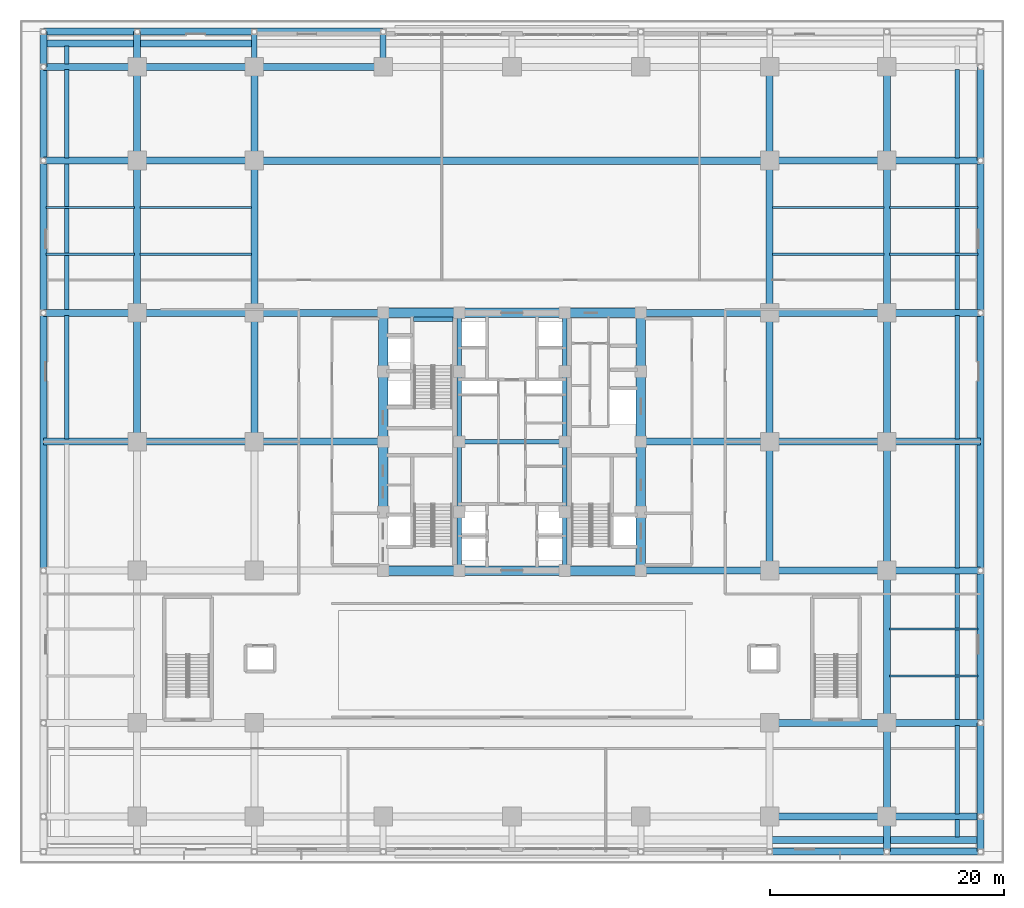
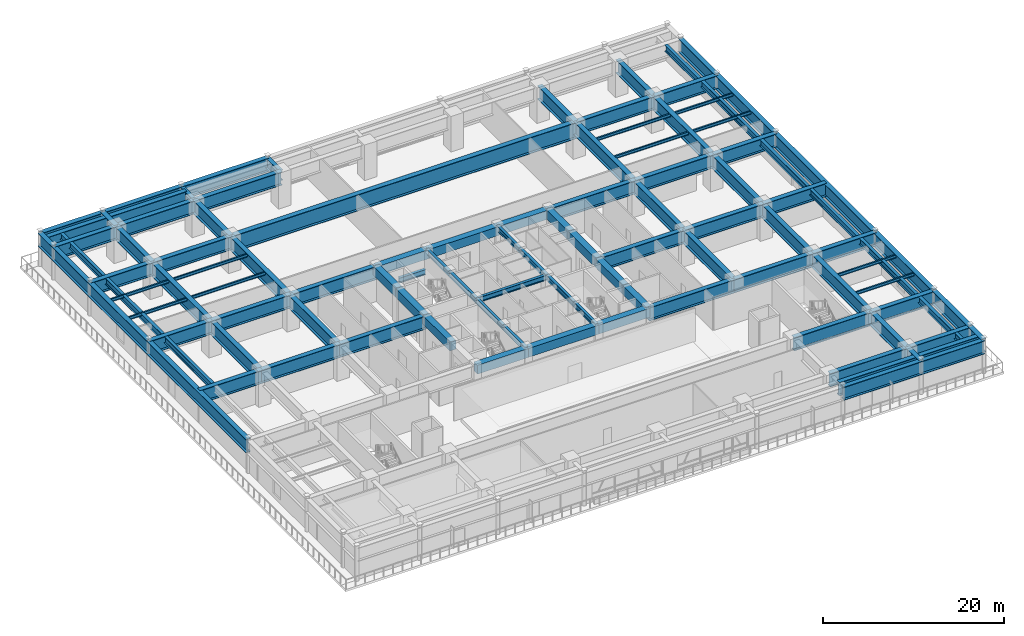
# One storey, part 17 of 38: 110 beams.
"""IFC4 building model written with IfcOpenShell, lengths in metres."""

from ifc_helpers import new_model, si_unit, direction, frame, origin, origin_2d, place, context, subcontext, project, spatial, rectangle, i_section, extrude, source, transform, mapped, material, material_profile, profile_set, type_object, element, save


model = new_model("IFC4")

# Units and contexts
model_context = context("Model", 3, precision=1e-05, world=origin(), true_north=direction((0.0, 1.0)))
body_context = subcontext(model_context, "Body", "Model", "MODEL_VIEW")
ifc_project = project(units=[si_unit("LENGTHUNIT", "METRE"), si_unit("AREAUNIT", "SQUARE_METRE"), si_unit("VOLUMEUNIT", "CUBIC_METRE"), si_unit("PLANEANGLEUNIT", "RADIAN"), si_unit("MASSUNIT", "GRAM", prefix="KILO")], contexts=[model_context])

# Site, building, storey
site_placement = place(None, origin())
site = spatial("IfcSite", under=ifc_project, at=site_placement, CompositionType="ELEMENT")
building_placement = place(site_placement, origin())
building = spatial("IfcBuilding", under=site, at=building_placement, Name="Khorayat Bourse Tower", CompositionType="ELEMENT")
storey_placement = place(building_placement, frame((0.0, 0.0, 17.39990234375)))
storey = spatial("IfcBuildingStorey", under=building, at=storey_placement, Name="L03", CompositionType="ELEMENT", Elevation=17.39990234375)

# Beams
ifc_material_1 = material(Name="Concrete C72/90", Category="concrete")
ifc_material_profile_1 = material_profile(ifc_material_1, rectangle(XDim=0.800048828125, YDim=1.199951171875, at=origin_2d()), Name="RC 800x1200")
ifc_profile_set_1 = profile_set([ifc_material_profile_1], Name="Concrete C72/90")
beam_type_1 = type_object("IfcBeamType", Name="BM-COUP-1200", PredefinedType="BEAM", material=ifc_profile_set_1)
shared_shape_1 = source(origin(), body_context, "Body", "SweptSolid", [
    extrude(rectangle(XDim=0.800048828125, YDim=1.199951171875, at=origin_2d()), origin(), (0.0, 0.0, 1.0), 5.0),
])
for number, where, z_axis, x_axis, name in (
    (1, (-11.0, 6.0, 3.880126953125), (0.0, 1.0, 0.0), (-1.0, 0.0, 0.0), "L03 BM-COUP-1200 BM-L03-CRX-04"),
    (2, (11.0, -11.0, 3.880126953125), (0.0, 1.0, 0.0), (-1.0, 0.0, 0.0), "L03 BM-COUP-1200 BM-L03-CRX-13"),
    (3, (11.0, 6.0, 3.880126953125), (0.0, 1.0, 0.0), (-1.0, 0.0, 0.0), "L03 BM-COUP-1200 BM-L03-CRX-16"),
):
    element("IfcBeam", number, at=place(storey_placement, frame(where, z_axis=z_axis, x_axis=x_axis)), inside=storey, type_object=beam_type_1, Name=name, PredefinedType="BEAM", context=body_context, shape_type="MappedRepresentation", body=[
        mapped(shared_shape_1, transform((0.0, 0.0, 0.0), scale=1.0)),
    ])
shared_shape_2 = source(origin(), body_context, "Body", "SweptSolid", [
    extrude(rectangle(XDim=0.800048828125, YDim=1.199951171875, at=origin_2d()), origin(), (0.0, 0.0, 1.0), 6.0),
])
for number, where, z_axis, x_axis, name in (
    (4, (-11.0, -6.0, 3.880126953125), (0.0, 1.0, 0.0), (-1.0, 0.0, 0.0), "L03 BM-COUP-1200 BM-L03-CRX-02"),
    (5, (-11.0, 0.0, 3.880126953125), (0.0, 1.0, 0.0), (-1.0, 0.0, 0.0), "L03 BM-COUP-1200 BM-L03-CRX-03"),
    (6, (11.0, -6.0, 3.880126953125), (0.0, 1.0, 0.0), (-1.0, 0.0, 0.0), "L03 BM-COUP-1200 BM-L03-CRX-14"),
    (7, (11.0, 0.0, 3.880126953125), (0.0, 1.0, 0.0), (-1.0, 0.0, 0.0), "L03 BM-COUP-1200 BM-L03-CRX-15"),
):
    element("IfcBeam", number, at=place(storey_placement, frame(where, z_axis=z_axis, x_axis=x_axis)), inside=storey, type_object=beam_type_1, Name=name, PredefinedType="BEAM", context=body_context, shape_type="MappedRepresentation", body=[
        mapped(shared_shape_2, transform((0.0, 0.0, 0.0), scale=1.0)),
    ])
ifc_material_2 = material(Name="Steel ASTM A992 Grade 50", Category="steel")
ifc_material_profile_2 = material_profile(ifc_material_2, i_section(OverallWidth=0.35498046875, OverallDepth=0.695068359375, WebThickness=0.015380859375, FlangeThickness=0.02490234375, FilletRadius=0.01806640625, at=origin_2d()), Name="W690X217")
ifc_profile_set_2 = profile_set([ifc_material_profile_2], Name="Steel ASTM A992 Grade 50")
beam_type_2 = type_object("IfcBeamType", Name="BM-GIRD-690", PredefinedType="BEAM", material=ifc_profile_set_2)
shared_shape_3 = source(origin(), body_context, "Body", "SweptSolid", [
    extrude(i_section(OverallWidth=0.35498046875, OverallDepth=0.695068359375, WebThickness=0.015380859375, FlangeThickness=0.02490234375, FilletRadius=0.01806640625, at=origin_2d()), origin(), (0.0, 0.0, 1.0), 5.0),
])
for number, where, z_axis, x_axis, name in (
    (8, (-4.5, -11.0, 4.132568359375), (0.0, 1.0, 0.0), (-1.0, 0.0, 0.0), "L03 BM-GIRD-690 BM-L03-CRX-05"),
    (9, (-4.5, 6.0, 4.132568359375), (0.0, 1.0, 0.0), (-1.0, 0.0, 0.0), "L03 BM-GIRD-690 BM-L03-CRX-08"),
    (10, (4.5, -11.0, 4.132568359375), (0.0, 1.0, 0.0), (-1.0, 0.0, 0.0), "L03 BM-GIRD-690 BM-L03-CRX-09"),
    (11, (4.5, 6.0, 4.132568359375), (0.0, 1.0, 0.0), (-1.0, 0.0, 0.0), "L03 BM-GIRD-690 BM-L03-CRX-12"),
):
    element("IfcBeam", number, at=place(storey_placement, frame(where, z_axis=z_axis, x_axis=x_axis)), inside=storey, type_object=beam_type_2, Name=name, PredefinedType="BEAM", context=body_context, shape_type="MappedRepresentation", body=[
        mapped(shared_shape_3, transform((0.0, 0.0, 0.0), scale=1.0)),
    ])
shared_shape_4 = source(origin(), body_context, "Body", "SweptSolid", [
    extrude(i_section(OverallWidth=0.35498046875, OverallDepth=0.695068359375, WebThickness=0.015380859375, FlangeThickness=0.02490234375, FilletRadius=0.01806640625, at=origin_2d()), origin(), (0.0, 0.0, 1.0), 6.0),
])
for number, where, z_axis, x_axis, name in (
    (12, (-4.5, -6.0, 4.132568359375), (0.0, 1.0, 0.0), (-1.0, 0.0, 0.0), "L03 BM-GIRD-690 BM-L03-CRX-06"),
    (13, (-4.5, 0.0, 4.132568359375), (0.0, 1.0, 0.0), (-1.0, 0.0, 0.0), "L03 BM-GIRD-690 BM-L03-CRX-07"),
    (14, (4.5, -6.0, 4.132568359375), (0.0, 1.0, 0.0), (-1.0, 0.0, 0.0), "L03 BM-GIRD-690 BM-L03-CRX-10"),
    (15, (4.5, 0.0, 4.132568359375), (0.0, 1.0, 0.0), (-1.0, 0.0, 0.0), "L03 BM-GIRD-690 BM-L03-CRX-11"),
):
    element("IfcBeam", number, at=place(storey_placement, frame(where, z_axis=z_axis, x_axis=x_axis)), inside=storey, type_object=beam_type_2, Name=name, PredefinedType="BEAM", context=body_context, shape_type="MappedRepresentation", body=[
        mapped(shared_shape_4, transform((0.0, 0.0, 0.0), scale=1.0)),
    ])
shared_shape_5 = source(origin(), body_context, "Body", "SweptSolid", [
    extrude(rectangle(XDim=0.800048828125, YDim=1.199951171875, at=origin_2d()), origin(), (0.0, 0.0, 1.0), 6.5),
])
for number, where, z_axis, x_axis, name in (
    (16, (-11.0, -11.0, 3.880126953125), (1.0, 0.0, 0.0), (0.0, 1.0, 0.0), "L03 BM-COUP-1200 BM-L03-CRY-17"),
    (17, (4.5, -11.0, 3.880126953125), (1.0, 0.0, 0.0), (0.0, 1.0, 0.0), "L03 BM-COUP-1200 BM-L03-CRY-19"),
    (18, (-11.0, 11.0, 3.880126953125), (1.0, 0.0, 0.0), (0.0, 1.0, 0.0), "L03 BM-COUP-1200 BM-L03-CRY-20"),
    (19, (4.5, 11.0, 3.880126953125), (1.0, 0.0, 0.0), (0.0, 1.0, 0.0), "L03 BM-COUP-1200 BM-L03-CRY-22"),
):
    element("IfcBeam", number, at=place(storey_placement, frame(where, z_axis=z_axis, x_axis=x_axis)), inside=storey, type_object=beam_type_1, Name=name, PredefinedType="BEAM", context=body_context, shape_type="MappedRepresentation", body=[
        mapped(shared_shape_5, transform((0.0, 0.0, 0.0), scale=1.0)),
    ])
shared_shape_6 = source(origin(), body_context, "Body", "SweptSolid", [
    extrude(rectangle(XDim=0.800048828125, YDim=1.199951171875, at=origin_2d()), origin(), (0.0, 0.0, 1.0), 9.0),
])
for number, where, z_axis, x_axis, name in (
    (20, (-4.5, -11.0, 3.880126953125), (1.0, 0.0, 0.0), (0.0, 1.0, 0.0), "L03 BM-COUP-1200 BM-L03-CRY-18"),
    (21, (-4.5, 11.0, 3.880126953125), (1.0, 0.0, 0.0), (0.0, 1.0, 0.0), "L03 BM-COUP-1200 BM-L03-CRY-21"),
):
    element("IfcBeam", number, at=place(storey_placement, frame(where, z_axis=z_axis, x_axis=x_axis)), inside=storey, type_object=beam_type_1, Name=name, PredefinedType="BEAM", context=body_context, shape_type="MappedRepresentation", body=[
        mapped(shared_shape_6, transform((0.0, 0.0, 0.0), scale=1.0)),
    ])
shared_shape_7 = source(origin(), body_context, "Body", "SweptSolid", [
    extrude(i_section(OverallWidth=0.35498046875, OverallDepth=0.695068359375, WebThickness=0.015380859375, FlangeThickness=0.02490234375, FilletRadius=0.01806640625, at=origin_2d()), origin(), (0.0, 0.0, 1.0), 3.39990234375),
])
beam_1_placement = place(storey_placement, frame((-8.419921875, 10.449951171875, 1.8525390625), z_axis=(1.0, 0.0, 0.0), x_axis=(0.0, 1.0, 0.0)))
element("IfcBeam", 22, at=beam_1_placement, inside=storey, type_object=beam_type_2, Name="L03 BM-GIRD-690 BM-L03-ST2L", PredefinedType="BEAM", context=body_context, shape_type="MappedRepresentation", body=[
    mapped(shared_shape_7, transform((0.0, 0.0, 0.0), scale=1.0)),
])
shared_shape_8 = source(origin(), body_context, "Body", "SweptSolid", [
    extrude(i_section(OverallWidth=0.35498046875, OverallDepth=0.695068359375, WebThickness=0.015380859375, FlangeThickness=0.02490234375, FilletRadius=0.01806640625, at=origin_2d()), origin(), (0.0, 0.0, 1.0), 9.0),
])
beam_2_placement = place(storey_placement, frame((-4.5, 0.0, 4.132568359375), z_axis=(1.0, 0.0, 0.0), x_axis=(0.0, 1.0, 0.0)))
element("IfcBeam", 23, at=beam_2_placement, inside=storey, type_object=beam_type_2, Name="L03 BM-GIRD-690 BM-L03-CRY-23", PredefinedType="BEAM", context=body_context, shape_type="MappedRepresentation", body=[
    mapped(shared_shape_8, transform((0.0, 0.0, 0.0), scale=1.0)),
])
ifc_material_3 = material(Name="Steel EN 10025-4 S460M", Category="steel")
ifc_material_profile_3 = material_profile(ifc_material_3, i_section(OverallWidth=0.60009765625, OverallDepth=1.800048828125, WebThickness=0.031982421875, FlangeThickness=0.06005859375, at=origin_2d()), Name="PG 1800x600x32x60")
ifc_profile_set_3 = profile_set([ifc_material_profile_3], Name="Steel EN 10025-4 S460M")
beam_type_3 = type_object("IfcBeamType", Name="BM-TR-1800", PredefinedType="BEAM", material=ifc_profile_set_3)
shared_shape_9 = source(origin(), body_context, "Body", "SweptSolid", [
    extrude(i_section(OverallWidth=0.60009765625, OverallDepth=1.800048828125, WebThickness=0.031982421875, FlangeThickness=0.06005859375, at=origin_2d()), origin(), (0.0, 0.0, 1.0), 10.0),
])
for number, where, z_axis, x_axis, name in (
    (24, (22.0, -35.0, 3.580078125), (1.0, 0.0, 0.0), (0.0, 1.0, 0.0), "L03 BM-TR-1800 BM-L03-PGX-029"),
    (25, (22.0, -34.0, 3.580078125), (1.0, 0.0, 0.0), (0.0, 1.0, 0.0), "L03 BM-TR-1800 BM-L03-PGX-034"),
    (26, (22.0, -32.0, 3.580078125), (1.0, 0.0, 0.0), (0.0, 1.0, 0.0), "L03 BM-TR-1800 BM-L03-PGX-042"),
    (27, (22.0, -24.0, 3.580078125), (1.0, 0.0, 0.0), (0.0, 1.0, 0.0), "L03 BM-TR-1800 BM-L03-PGX-047"),
    (28, (22.0, -11.0, 3.580078125), (1.0, 0.0, 0.0), (0.0, 1.0, 0.0), "L03 BM-TR-1800 BM-L03-PGX-056"),
    (29, (-32.0, 0.0, 3.580078125), (1.0, 0.0, 0.0), (0.0, 1.0, 0.0), "L03 BM-TR-1800 BM-L03-PGX-059"),
    (30, (22.0, 0.0, 3.580078125), (1.0, 0.0, 0.0), (0.0, 1.0, 0.0), "L03 BM-TR-1800 BM-L03-PGX-062"),
    (31, (-32.0, 11.0, 3.580078125), (1.0, 0.0, 0.0), (0.0, 1.0, 0.0), "L03 BM-TR-1800 BM-L03-PGX-065"),
    (32, (22.0, 11.0, 3.580078125), (1.0, 0.0, 0.0), (0.0, 1.0, 0.0), "L03 BM-TR-1800 BM-L03-PGX-071"),
    (33, (-32.0, 24.0, 3.580078125), (1.0, 0.0, 0.0), (0.0, 1.0, 0.0), "L03 BM-TR-1800 BM-L03-PGX-074"),
    (34, (22.0, 24.0, 3.580078125), (1.0, 0.0, 0.0), (0.0, 1.0, 0.0), "L03 BM-TR-1800 BM-L03-PGX-076"),
    (35, (-32.0, 32.0, 3.580078125), (1.0, 0.0, 0.0), (0.0, 1.0, 0.0), "L03 BM-TR-1800 BM-L03-PGX-079"),
    (36, (-32.0, 34.0, 3.580078125), (1.0, 0.0, 0.0), (0.0, 1.0, 0.0), "L03 BM-TR-1800 BM-L03-PGX-087"),
    (37, (-32.0, 35.0, 3.580078125), (1.0, 0.0, 0.0), (0.0, 1.0, 0.0), "L03 BM-TR-1800 BM-L03-PGX-092"),
):
    element("IfcBeam", number, at=place(storey_placement, frame(where, z_axis=z_axis, x_axis=x_axis)), inside=storey, type_object=beam_type_3, Name=name, PredefinedType="BEAM", context=body_context, shape_type="MappedRepresentation", body=[
        mapped(shared_shape_9, transform((0.0, 0.0, 0.0), scale=1.0)),
    ])
shared_shape_10 = source(origin(), body_context, "Body", "SweptSolid", [
    extrude(i_section(OverallWidth=0.60009765625, OverallDepth=1.800048828125, WebThickness=0.031982421875, FlangeThickness=0.06005859375, at=origin_2d()), origin(), (0.0, 0.0, 1.0), 11.0),
])
for number, where, z_axis, x_axis, name in (
    (38, (11.0, -11.0, 3.580078125), (1.0, 0.0, 0.0), (0.0, 1.0, 0.0), "L03 BM-TR-1800 BM-L03-PGX-055"),
    (39, (-22.0, 0.0, 3.580078125), (1.0, 0.0, 0.0), (0.0, 1.0, 0.0), "L03 BM-TR-1800 BM-L03-PGX-060"),
    (40, (11.0, 0.0, 3.580078125), (1.0, 0.0, 0.0), (0.0, 1.0, 0.0), "L03 BM-TR-1800 BM-L03-PGX-061"),
    (41, (-22.0, 11.0, 3.580078125), (1.0, 0.0, 0.0), (0.0, 1.0, 0.0), "L03 BM-TR-1800 BM-L03-PGX-066"),
    (42, (11.0, 11.0, 3.580078125), (1.0, 0.0, 0.0), (0.0, 1.0, 0.0), "L03 BM-TR-1800 BM-L03-PGX-070"),
    (43, (-22.0, 32.0, 3.580078125), (1.0, 0.0, 0.0), (0.0, 1.0, 0.0), "L03 BM-TR-1800 BM-L03-PGX-080"),
    (44, (-22.0, 35.0, 3.580078125), (1.0, 0.0, 0.0), (0.0, 1.0, 0.0), "L03 BM-TR-1800 BM-L03-PGX-093"),
    (45, (-32.0, 0.0, 3.580078125), (0.0, 1.0, 0.0), (-1.0, 0.0, 0.0), "L03 BM-TR-1800 BM-L03-PGY-117"),
    (46, (-22.0, 0.0, 3.580078125), (0.0, 1.0, 0.0), (-1.0, 0.0, 0.0), "L03 BM-TR-1800 BM-L03-PGY-124"),
    (47, (22.0, -11.0, 3.580078125), (0.0, 1.0, 0.0), (-1.0, 0.0, 0.0), "L03 BM-TR-1800 BM-L03-PGY-139"),
    (48, (22.0, 0.0, 3.580078125), (0.0, 1.0, 0.0), (-1.0, 0.0, 0.0), "L03 BM-TR-1800 BM-L03-PGY-140"),
    (49, (32.0, -11.0, 3.580078125), (0.0, 1.0, 0.0), (-1.0, 0.0, 0.0), "L03 BM-TR-1800 BM-L03-PGY-147"),
    (50, (32.0, 0.0, 3.580078125), (0.0, 1.0, 0.0), (-1.0, 0.0, 0.0), "L03 BM-TR-1800 BM-L03-PGY-148"),
):
    element("IfcBeam", number, at=place(storey_placement, frame(where, z_axis=z_axis, x_axis=x_axis)), inside=storey, type_object=beam_type_3, Name=name, PredefinedType="BEAM", context=body_context, shape_type="MappedRepresentation", body=[
        mapped(shared_shape_10, transform((0.0, 0.0, 0.0), scale=1.0)),
    ])
shared_shape_11 = source(origin(), body_context, "Body", "SweptSolid", [
    extrude(i_section(OverallWidth=0.60009765625, OverallDepth=1.800048828125, WebThickness=0.031982421875, FlangeThickness=0.06005859375, at=origin_2d()), origin(), (0.0, 0.0, 1.0), 8.0),
])
for number, where, z_axis, x_axis, name in (
    (51, (32.0, -35.0, 3.580078125), (1.0, 0.0, 0.0), (0.0, 1.0, 0.0), "L03 BM-TR-1800 BM-L03-PGX-030"),
    (52, (32.0, -34.0, 3.580078125), (1.0, 0.0, 0.0), (0.0, 1.0, 0.0), "L03 BM-TR-1800 BM-L03-PGX-035"),
    (53, (32.0, -32.0, 3.580078125), (1.0, 0.0, 0.0), (0.0, 1.0, 0.0), "L03 BM-TR-1800 BM-L03-PGX-043"),
    (54, (32.0, -24.0, 3.580078125), (1.0, 0.0, 0.0), (0.0, 1.0, 0.0), "L03 BM-TR-1800 BM-L03-PGX-048"),
    (55, (32.0, -11.0, 3.580078125), (1.0, 0.0, 0.0), (0.0, 1.0, 0.0), "L03 BM-TR-1800 BM-L03-PGX-057"),
    (56, (-40.0, 0.0, 3.580078125), (1.0, 0.0, 0.0), (0.0, 1.0, 0.0), "L03 BM-TR-1800 BM-L03-PGX-058"),
    (57, (32.0, 0.0, 3.580078125), (1.0, 0.0, 0.0), (0.0, 1.0, 0.0), "L03 BM-TR-1800 BM-L03-PGX-063"),
    (58, (-40.0, 11.0, 3.580078125), (1.0, 0.0, 0.0), (0.0, 1.0, 0.0), "L03 BM-TR-1800 BM-L03-PGX-064"),
    (59, (32.0, 11.0, 3.580078125), (1.0, 0.0, 0.0), (0.0, 1.0, 0.0), "L03 BM-TR-1800 BM-L03-PGX-072"),
    (60, (-40.0, 24.0, 3.580078125), (1.0, 0.0, 0.0), (0.0, 1.0, 0.0), "L03 BM-TR-1800 BM-L03-PGX-073"),
    (61, (32.0, 24.0, 3.580078125), (1.0, 0.0, 0.0), (0.0, 1.0, 0.0), "L03 BM-TR-1800 BM-L03-PGX-077"),
    (62, (-40.0, 32.0, 3.580078125), (1.0, 0.0, 0.0), (0.0, 1.0, 0.0), "L03 BM-TR-1800 BM-L03-PGX-078"),
    (63, (-40.0, 34.0, 3.580078125), (1.0, 0.0, 0.0), (0.0, 1.0, 0.0), "L03 BM-TR-1800 BM-L03-PGX-086"),
    (64, (-40.0, 35.0, 3.580078125), (1.0, 0.0, 0.0), (0.0, 1.0, 0.0), "L03 BM-TR-1800 BM-L03-PGX-091"),
    (65, (-40.0, 24.0, 3.580078125), (0.0, 1.0, 0.0), (-1.0, 0.0, 0.0), "L03 BM-TR-1800 BM-L03-PGY-103"),
    (66, (-32.0, 24.0, 3.580078125), (0.0, 1.0, 0.0), (-1.0, 0.0, 0.0), "L03 BM-TR-1800 BM-L03-PGY-119"),
    (67, (-22.0, 24.0, 3.580078125), (0.0, 1.0, 0.0), (-1.0, 0.0, 0.0), "L03 BM-TR-1800 BM-L03-PGY-126"),
    (68, (22.0, 24.0, 3.580078125), (0.0, 1.0, 0.0), (-1.0, 0.0, 0.0), "L03 BM-TR-1800 BM-L03-PGY-142"),
    (69, (32.0, -32.0, 3.580078125), (0.0, 1.0, 0.0), (-1.0, 0.0, 0.0), "L03 BM-TR-1800 BM-L03-PGY-145"),
    (70, (32.0, 24.0, 3.580078125), (0.0, 1.0, 0.0), (-1.0, 0.0, 0.0), "L03 BM-TR-1800 BM-L03-PGY-150"),
    (71, (40.0, -32.0, 3.580078125), (0.0, 1.0, 0.0), (-1.0, 0.0, 0.0), "L03 BM-TR-1800 BM-L03-PGY-161"),
    (72, (40.0, 24.0, 3.580078125), (0.0, 1.0, 0.0), (-1.0, 0.0, 0.0), "L03 BM-TR-1800 BM-L03-PGY-165"),
):
    element("IfcBeam", number, at=place(storey_placement, frame(where, z_axis=z_axis, x_axis=x_axis)), inside=storey, type_object=beam_type_3, Name=name, PredefinedType="BEAM", context=body_context, shape_type="MappedRepresentation", body=[
        mapped(shared_shape_11, transform((0.0, 0.0, 0.0), scale=1.0)),
    ])
shared_shape_12 = source(origin(), body_context, "Body", "SweptSolid", [
    extrude(i_section(OverallWidth=0.60009765625, OverallDepth=1.800048828125, WebThickness=0.031982421875, FlangeThickness=0.06005859375, at=origin_2d()), origin(), (0.0, 0.0, 1.0), 13.0),
])
for number, where, z_axis, x_axis, name in (
    (73, (-40.0, 11.0, 3.580078125), (0.0, 1.0, 0.0), (-1.0, 0.0, 0.0), "L03 BM-TR-1800 BM-L03-PGY-102"),
    (74, (-32.0, 11.0, 3.580078125), (0.0, 1.0, 0.0), (-1.0, 0.0, 0.0), "L03 BM-TR-1800 BM-L03-PGY-118"),
    (75, (-22.0, 11.0, 3.580078125), (0.0, 1.0, 0.0), (-1.0, 0.0, 0.0), "L03 BM-TR-1800 BM-L03-PGY-125"),
    (76, (22.0, 11.0, 3.580078125), (0.0, 1.0, 0.0), (-1.0, 0.0, 0.0), "L03 BM-TR-1800 BM-L03-PGY-141"),
    (77, (32.0, -24.0, 3.580078125), (0.0, 1.0, 0.0), (-1.0, 0.0, 0.0), "L03 BM-TR-1800 BM-L03-PGY-146"),
    (78, (32.0, 11.0, 3.580078125), (0.0, 1.0, 0.0), (-1.0, 0.0, 0.0), "L03 BM-TR-1800 BM-L03-PGY-149"),
    (79, (40.0, -24.0, 3.580078125), (0.0, 1.0, 0.0), (-1.0, 0.0, 0.0), "L03 BM-TR-1800 BM-L03-PGY-162"),
    (80, (40.0, 11.0, 3.580078125), (0.0, 1.0, 0.0), (-1.0, 0.0, 0.0), "L03 BM-TR-1800 BM-L03-PGY-164"),
):
    element("IfcBeam", number, at=place(storey_placement, frame(where, z_axis=z_axis, x_axis=x_axis)), inside=storey, type_object=beam_type_3, Name=name, PredefinedType="BEAM", context=body_context, shape_type="MappedRepresentation", body=[
        mapped(shared_shape_12, transform((0.0, 0.0, 0.0), scale=1.0)),
    ])
ifc_material_profile_4 = material_profile(ifc_material_3, i_section(OverallWidth=0.64990234375, OverallDepth=2.199951171875, WebThickness=0.035888671875, FlangeThickness=0.06494140625, at=origin_2d()), Name="PG 2200x650x36x65")
ifc_profile_set_4 = profile_set([ifc_material_profile_4], Name="Steel EN 10025-4 S460M")
beam_type_4 = type_object("IfcBeamType", Name="BM-TR-2200", PredefinedType="BEAM", material=ifc_profile_set_4)
shared_shape_13 = source(origin(), body_context, "Body", "SweptSolid", [
    extrude(i_section(OverallWidth=0.64990234375, OverallDepth=2.199951171875, WebThickness=0.035888671875, FlangeThickness=0.06494140625, at=origin_2d()), origin(), (0.0, 0.0, 1.0), 44.0),
])
beam_3_placement = place(storey_placement, frame((-22.0, 24.0, 3.380126953125), z_axis=(1.0, 0.0, 0.0), x_axis=(0.0, 1.0, 0.0)))
element("IfcBeam", 81, at=beam_3_placement, inside=storey, type_object=beam_type_4, Name="L03 BM-TR-2200 BM-L03-PGX-075", PredefinedType="BEAM", context=body_context, shape_type="MappedRepresentation", body=[
    mapped(shared_shape_13, transform((0.0, 0.0, 0.0), scale=1.0)),
])
ifc_material_profile_5 = material_profile(ifc_material_2, i_section(OverallWidth=0.39990234375, OverallDepth=0.85498046875, WebThickness=0.018310546875, FlangeThickness=0.029296875, FilletRadius=0.02001953125, at=origin_2d()), Name="W840X299")
ifc_profile_set_5 = profile_set([ifc_material_profile_5], Name="Steel ASTM A992 Grade 50")
beam_type_5 = type_object("IfcBeamType", Name="BM-GIRD-840", PredefinedType="BEAM", material=ifc_profile_set_5)
shared_shape_14 = source(origin(), body_context, "Body", "SweptSolid", [
    extrude(i_section(OverallWidth=0.39990234375, OverallDepth=0.85498046875, WebThickness=0.018310546875, FlangeThickness=0.029296875, FilletRadius=0.02001953125, at=origin_2d()), origin(), (0.0, 0.0, 1.0), 7.52001953125),
])
for number, where, z_axis, x_axis, name in (
    (82, (-38.0, 24.239990234375, 4.052490234375), (0.0, 1.0, 0.0), (-1.0, 0.0, 0.0), "L03 BM-GIRD-840 BM-L03-PGY-111"),
    (83, (38.0, -31.760009765625, 4.052490234375), (0.0, 1.0, 0.0), (-1.0, 0.0, 0.0), "L03 BM-GIRD-840 BM-L03-PGY-153"),
    (84, (38.0, 24.239990234375, 4.052490234375), (0.0, 1.0, 0.0), (-1.0, 0.0, 0.0), "L03 BM-GIRD-840 BM-L03-PGY-158"),
):
    element("IfcBeam", number, at=place(storey_placement, frame(where, z_axis=z_axis, x_axis=x_axis)), inside=storey, type_object=beam_type_5, Name=name, PredefinedType="BEAM", context=body_context, shape_type="MappedRepresentation", body=[
        mapped(shared_shape_14, transform((0.0, 0.0, 0.0), scale=1.0)),
    ])
shared_shape_15 = source(origin(), body_context, "Body", "SweptSolid", [
    extrude(i_section(OverallWidth=0.39990234375, OverallDepth=0.85498046875, WebThickness=0.018310546875, FlangeThickness=0.029296875, FilletRadius=0.02001953125, at=origin_2d()), origin(), (0.0, 0.0, 1.0), 12.52001953125),
])
for number, where, z_axis, x_axis, name in (
    (85, (-38.0, 11.239990234375, 4.052490234375), (0.0, 1.0, 0.0), (-1.0, 0.0, 0.0), "L03 BM-GIRD-840 BM-L03-PGY-110"),
    (86, (38.0, -23.760009765625, 4.052490234375), (0.0, 1.0, 0.0), (-1.0, 0.0, 0.0), "L03 BM-GIRD-840 BM-L03-PGY-154"),
    (87, (38.0, 11.239990234375, 4.052490234375), (0.0, 1.0, 0.0), (-1.0, 0.0, 0.0), "L03 BM-GIRD-840 BM-L03-PGY-157"),
):
    element("IfcBeam", number, at=place(storey_placement, frame(where, z_axis=z_axis, x_axis=x_axis)), inside=storey, type_object=beam_type_5, Name=name, PredefinedType="BEAM", context=body_context, shape_type="MappedRepresentation", body=[
        mapped(shared_shape_15, transform((0.0, 0.0, 0.0), scale=1.0)),
    ])
shared_shape_16 = source(origin(), body_context, "Body", "SweptSolid", [
    extrude(i_section(OverallWidth=0.39990234375, OverallDepth=0.85498046875, WebThickness=0.018310546875, FlangeThickness=0.029296875, FilletRadius=0.02001953125, at=origin_2d()), origin(), (0.0, 0.0, 1.0), 10.52001953125),
])
for number, where, z_axis, x_axis, name in (
    (88, (-38.0, 0.239990234375, 4.052490234375), (0.0, 1.0, 0.0), (-1.0, 0.0, 0.0), "L03 BM-GIRD-840 BM-L03-PGY-109"),
    (89, (38.0, -10.760009765625, 4.052490234375), (0.0, 1.0, 0.0), (-1.0, 0.0, 0.0), "L03 BM-GIRD-840 BM-L03-PGY-155"),
    (90, (38.0, 0.239990234375, 4.052490234375), (0.0, 1.0, 0.0), (-1.0, 0.0, 0.0), "L03 BM-GIRD-840 BM-L03-PGY-156"),
):
    element("IfcBeam", number, at=place(storey_placement, frame(where, z_axis=z_axis, x_axis=x_axis)), inside=storey, type_object=beam_type_5, Name=name, PredefinedType="BEAM", context=body_context, shape_type="MappedRepresentation", body=[
        mapped(shared_shape_16, transform((0.0, 0.0, 0.0), scale=1.0)),
    ])
ifc_material_profile_6 = material_profile(ifc_material_2, i_section(OverallWidth=0.180908203125, OverallDepth=0.4169921875, WebThickness=0.010986328125, FlangeThickness=0.018310546875, FilletRadius=0.011962890625, at=origin_2d()), Name="W410X85")
ifc_profile_set_6 = profile_set([ifc_material_profile_6], Name="Steel ASTM A992 Grade 50")
beam_type_6 = type_object("IfcBeamType", Name="BM-JOIST-410", PredefinedType="JOIST", material=ifc_profile_set_6)
shared_shape_17 = source(origin(), body_context, "Body", "SweptSolid", [
    extrude(i_section(OverallWidth=0.180908203125, OverallDepth=0.4169921875, WebThickness=0.010986328125, FlangeThickness=0.018310546875, FilletRadius=0.011962890625, at=origin_2d()), origin(), (0.0, 0.0, 1.0), 9.52001953125),
])
for number, where, z_axis, x_axis, name in (
    (91, (-31.760009765625, 16.0, 4.271484375), (1.0, 0.0, 0.0), (0.0, 1.0, 0.0), "L03 BM-JOIST-410 BM-L03-PJ-172"),
    (92, (22.239990234375, 16.0, 4.271484375), (1.0, 0.0, 0.0), (0.0, 1.0, 0.0), "L03 BM-JOIST-410 BM-L03-PJ-173"),
    (93, (-31.760009765625, 20.0, 4.271484375), (1.0, 0.0, 0.0), (0.0, 1.0, 0.0), "L03 BM-JOIST-410 BM-L03-PJ-176"),
    (94, (22.239990234375, 20.0, 4.271484375), (1.0, 0.0, 0.0), (0.0, 1.0, 0.0), "L03 BM-JOIST-410 BM-L03-PJ-177"),
):
    element("IfcBeam", number, at=place(storey_placement, frame(where, z_axis=z_axis, x_axis=x_axis)), inside=storey, type_object=beam_type_6, Name=name, PredefinedType="JOIST", context=body_context, shape_type="MappedRepresentation", body=[
        mapped(shared_shape_17, transform((0.0, 0.0, 0.0), scale=1.0)),
    ])
shared_shape_18 = source(origin(), body_context, "Body", "SweptSolid", [
    extrude(i_section(OverallWidth=0.60009765625, OverallDepth=1.800048828125, WebThickness=0.031982421875, FlangeThickness=0.06005859375, at=origin_2d()), origin(), (0.0, 0.0, 1.0), 22.0),
])
for number, where, z_axis, x_axis, name in (
    (95, (-40.0, -11.0, 3.580078125), (0.0, 1.0, 0.0), (-1.0, 0.0, 0.0), "L03 BM-TR-1800 BM-L03-PGY-101"),
    (96, (40.0, -11.0, 3.580078125), (0.0, 1.0, 0.0), (-1.0, 0.0, 0.0), "L03 BM-TR-1800 BM-L03-PGY-163"),
):
    element("IfcBeam", number, at=place(storey_placement, frame(where, z_axis=z_axis, x_axis=x_axis)), inside=storey, type_object=beam_type_3, Name=name, PredefinedType="BEAM", context=body_context, shape_type="MappedRepresentation", body=[
        mapped(shared_shape_18, transform((0.0, 0.0, 0.0), scale=1.0)),
    ])
shared_shape_19 = source(origin(), body_context, "Body", "SweptSolid", [
    extrude(i_section(OverallWidth=0.60009765625, OverallDepth=1.800048828125, WebThickness=0.031982421875, FlangeThickness=0.06005859375, at=origin_2d()), origin(), (0.0, 0.0, 1.0), 3.0),
])
for number, where, z_axis, x_axis, name in (
    (97, (-40.0, 32.0, 3.580078125), (0.0, 1.0, 0.0), (-1.0, 0.0, 0.0), "L03 BM-TR-1800 BM-L03-PGY-104"),
    (98, (-32.0, 32.0, 3.580078125), (0.0, 1.0, 0.0), (-1.0, 0.0, 0.0), "L03 BM-TR-1800 BM-L03-PGY-120"),
    (99, (32.0, -35.0, 3.580078125), (0.0, 1.0, 0.0), (-1.0, 0.0, 0.0), "L03 BM-TR-1800 BM-L03-PGY-144"),
    (100, (40.0, -35.0, 3.580078125), (0.0, 1.0, 0.0), (-1.0, 0.0, 0.0), "L03 BM-TR-1800 BM-L03-PGY-160"),
):
    element("IfcBeam", number, at=place(storey_placement, frame(where, z_axis=z_axis, x_axis=x_axis)), inside=storey, type_object=beam_type_3, Name=name, PredefinedType="BEAM", context=body_context, shape_type="MappedRepresentation", body=[
        mapped(shared_shape_19, transform((0.0, 0.0, 0.0), scale=1.0)),
    ])
shared_shape_20 = source(origin(), body_context, "Body", "SweptSolid", [
    extrude(i_section(OverallWidth=0.39990234375, OverallDepth=0.85498046875, WebThickness=0.018310546875, FlangeThickness=0.029296875, FilletRadius=0.02001953125, at=origin_2d()), origin(), (0.0, 0.0, 1.0), 1.52001953125),
])
for number, where, z_axis, x_axis, name in (
    (101, (-38.0, 32.239990234375, 4.052490234375), (0.0, 1.0, 0.0), (-1.0, 0.0, 0.0), "L03 BM-GIRD-840 BM-L03-PGY-112"),
    (102, (38.0, -33.760009765625, 4.052490234375), (0.0, 1.0, 0.0), (-1.0, 0.0, 0.0), "L03 BM-GIRD-840 BM-L03-PGY-152"),
):
    element("IfcBeam", number, at=place(storey_placement, frame(where, z_axis=z_axis, x_axis=x_axis)), inside=storey, type_object=beam_type_5, Name=name, PredefinedType="BEAM", context=body_context, shape_type="MappedRepresentation", body=[
        mapped(shared_shape_20, transform((0.0, 0.0, 0.0), scale=1.0)),
    ])
ifc_material_profile_7 = material_profile(ifc_material_3, i_section(OverallWidth=0.5, OverallDepth=1.39990234375, WebThickness=0.02490234375, FlangeThickness=0.050048828125, at=origin_2d()), Name="PG 1400x500x25x50")
ifc_profile_set_7 = profile_set([ifc_material_profile_7], Name="Steel EN 10025-4 S460M")
beam_type_7 = type_object("IfcBeamType", Name="BM-TR-1400", PredefinedType="BEAM", material=ifc_profile_set_7)
shared_shape_21 = source(origin(), body_context, "Body", "SweptSolid", [
    extrude(i_section(OverallWidth=0.5, OverallDepth=1.39990234375, WebThickness=0.02490234375, FlangeThickness=0.050048828125, at=origin_2d()), origin(), (0.0, 0.0, 1.0), 3.0),
])
for number, where, z_axis, x_axis, name in (
    (103, (-22.0, 32.0, 3.780029296875), (0.0, 1.0, 0.0), (-1.0, 0.0, 0.0), "L03 BM-TR-1400 BM-L03-PGY-127"),
    (104, (-11.0, 32.0, 3.780029296875), (0.0, 1.0, 0.0), (-1.0, 0.0, 0.0), "L03 BM-TR-1400 BM-L03-PGY-130"),
):
    element("IfcBeam", number, at=place(storey_placement, frame(where, z_axis=z_axis, x_axis=x_axis)), inside=storey, type_object=beam_type_7, Name=name, PredefinedType="BEAM", context=body_context, shape_type="MappedRepresentation", body=[
        mapped(shared_shape_21, transform((0.0, 0.0, 0.0), scale=1.0)),
    ])
shared_shape_22 = source(origin(), body_context, "Body", "SweptSolid", [
    extrude(i_section(OverallWidth=0.180908203125, OverallDepth=0.4169921875, WebThickness=0.010986328125, FlangeThickness=0.018310546875, FilletRadius=0.011962890625, at=origin_2d()), origin(), (0.0, 0.0, 1.0), 7.52001953125),
])
for number, where, z_axis, x_axis, name in (
    (105, (32.239990234375, -20.0, 4.271484375), (1.0, 0.0, 0.0), (0.0, 1.0, 0.0), "L03 BM-JOIST-410 BM-L03-PJ-168"),
    (106, (32.239990234375, -16.0, 4.271484375), (1.0, 0.0, 0.0), (0.0, 1.0, 0.0), "L03 BM-JOIST-410 BM-L03-PJ-170"),
    (107, (-39.760009765625, 16.0, 4.271484375), (1.0, 0.0, 0.0), (0.0, 1.0, 0.0), "L03 BM-JOIST-410 BM-L03-PJ-171"),
    (108, (32.239990234375, 16.0, 4.271484375), (1.0, 0.0, 0.0), (0.0, 1.0, 0.0), "L03 BM-JOIST-410 BM-L03-PJ-174"),
    (109, (-39.760009765625, 20.0, 4.271484375), (1.0, 0.0, 0.0), (0.0, 1.0, 0.0), "L03 BM-JOIST-410 BM-L03-PJ-175"),
    (110, (32.239990234375, 20.0, 4.271484375), (1.0, 0.0, 0.0), (0.0, 1.0, 0.0), "L03 BM-JOIST-410 BM-L03-PJ-178"),
):
    element("IfcBeam", number, at=place(storey_placement, frame(where, z_axis=z_axis, x_axis=x_axis)), inside=storey, type_object=beam_type_6, Name=name, PredefinedType="JOIST", context=body_context, shape_type="MappedRepresentation", body=[
        mapped(shared_shape_22, transform((0.0, 0.0, 0.0), scale=1.0)),
    ])

save(model, "model.ifc")
